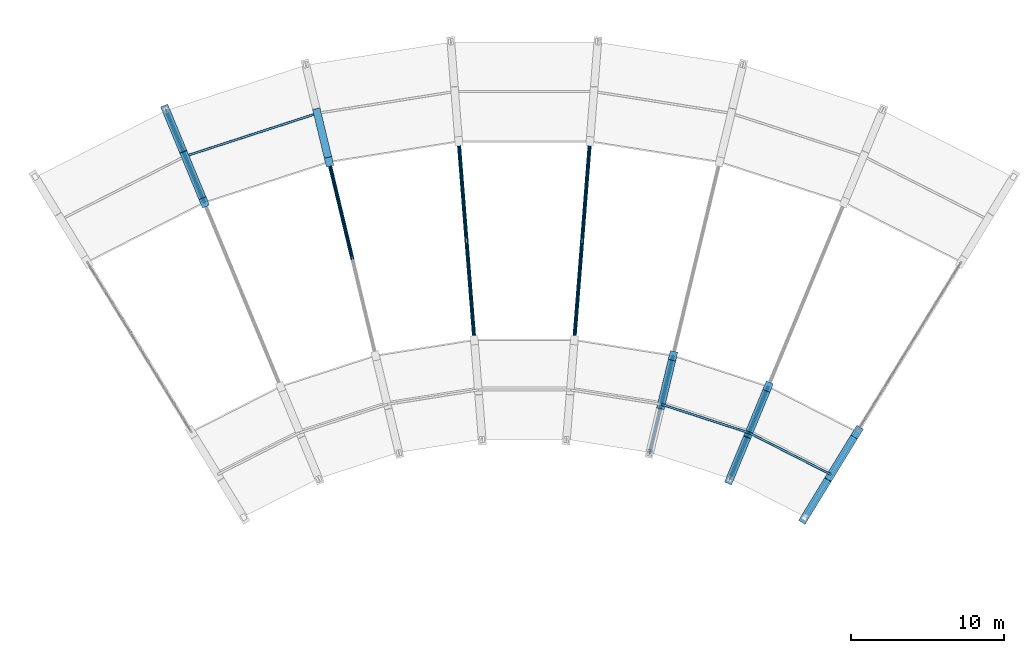
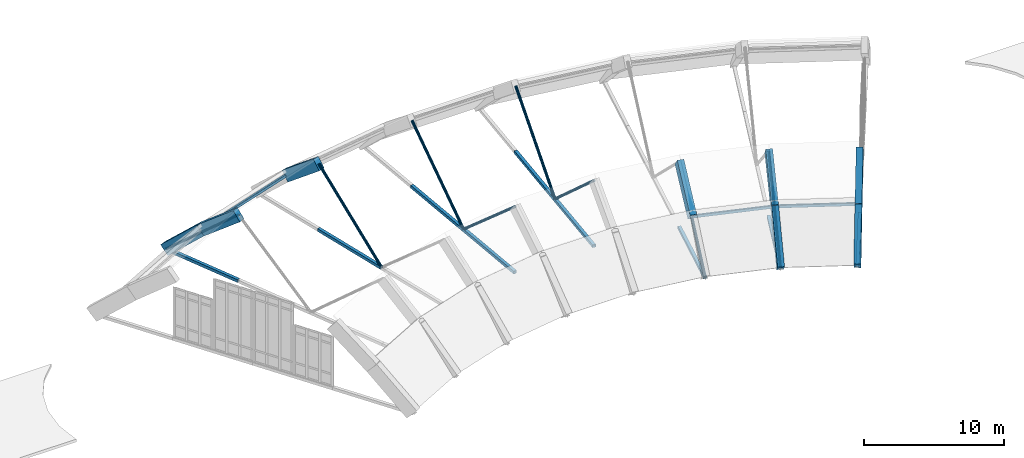
# One storey, part 11 of 34: 17 beams, 11 members.
"""IFC4 building model written with IfcOpenShell, lengths in metres."""

from ifc_helpers import new_model, si_unit, direction, frame, origin, origin_2d, place, context, subcontext, project, spatial, rectangle, hollow_rectangle, hollow_circle, extrude, material, material_profile, profile_set, type_object, element, save


model = new_model("IFC4")

# Units and contexts
model_context = context("Model", 3, precision=1e-05, world=origin(), true_north=direction((0.0, 1.0)))
body_context = subcontext(model_context, "Body", "Model", "MODEL_VIEW")
ifc_project = project(units=[si_unit("LENGTHUNIT", "METRE"), si_unit("AREAUNIT", "SQUARE_METRE"), si_unit("VOLUMEUNIT", "CUBIC_METRE"), si_unit("PLANEANGLEUNIT", "RADIAN"), si_unit("MASSUNIT", "GRAM", prefix="KILO")], contexts=[model_context])

# Site, building, storey
site_placement = place(None, origin())
site = spatial("IfcSite", under=ifc_project, at=site_placement, CompositionType="ELEMENT")
building_placement = place(site_placement, origin())
building = spatial("IfcBuilding", under=site, at=building_placement, Name="Miralva Faculty of Natural Sciences", CompositionType="ELEMENT")
storey_placement = place(building_placement, frame((0.0, 0.0, 24.0)))
storey = spatial("IfcBuildingStorey", under=building, at=storey_placement, Name="L05", CompositionType="ELEMENT", Elevation=24.0)

# Beams
ifc_material_1 = material(Name="Concrete C40/50", Category="concrete")
ifc_material_profile_1 = material_profile(ifc_material_1, rectangle(XDim=0.5, YDim=1.199951171875, at=origin_2d()), Name="RC 500x1200")
ifc_profile_set_1 = profile_set([ifc_material_profile_1], Name="Concrete C40/50")
beam_type_1 = type_object("IfcBeamType", Name="BM-EB01", PredefinedType="BEAM", material=ifc_profile_set_1)
beam_1_placement = place(storey_placement, frame((108.287353515625, 8.84228515625, -0.0400390625), z_axis=(0.385417004482, 0.628934505157, 0.675200059893), x_axis=(-0.852636876348, 0.522503930216, 0.0)))
element("IfcBeam", 1, at=beam_1_placement, inside=storey, type_object=beam_type_1, Name="Visible RC shell arch edge beam EB-08 chord 1", PredefinedType="BEAM", context=body_context, shape_type="SweptSolid", body=[
    extrude(rectangle(XDim=0.5, YDim=1.199951171875, at=origin_2d()), origin(), (0.0, 0.0, 1.0), 4.40625),
])
beam_2_placement = place(storey_placement, frame((109.985595703125, 11.613525390625, 2.93505859375), z_axis=(0.406454163532, 0.663300468166, 0.628353007376), x_axis=(-0.852649834543, 0.522482784074, 0.0)))
element("IfcBeam", 2, at=beam_2_placement, inside=storey, type_object=beam_type_1, Name="Visible RC shell arch edge beam EB-08 chord 2", PredefinedType="BEAM", context=body_context, shape_type="SweptSolid", body=[
    extrude(rectangle(XDim=0.5, YDim=1.199951171875, at=origin_2d()), origin(), (0.0, 0.0, 1.0), 4.177490234375),
])
ifc_material_profile_2 = material_profile(ifc_material_1, rectangle(XDim=0.5, YDim=0.949951171875, at=origin_2d()), Name="RC 500x950")
ifc_profile_set_2 = profile_set([ifc_material_profile_2], Name="Concrete C40/50")
beam_type_2 = type_object("IfcBeamType", Name="BM-EB02", PredefinedType="BEAM", material=ifc_profile_set_2)
beam_3_placement = place(storey_placement, frame((69.143798828125, 29.351318359375, 5.68505859375), z_axis=(-0.297739501227, 0.71872387156, -0.628320925848), x_axis=(-0.923863931748, -0.382721093768, 0.0)))
element("IfcBeam", 3, at=beam_3_placement, inside=storey, type_object=beam_type_2, Name="Visible RC shell arch edge beam EB-02 chord 7", PredefinedType="BEAM", context=body_context, shape_type="SweptSolid", body=[
    extrude(rectangle(XDim=0.5, YDim=0.949951171875, at=origin_2d()), origin(), (0.0, 0.0, 1.0), 4.177734375),
])
beam_4_placement = place(storey_placement, frame((67.89990234375, 32.35400390625, 3.06005859375), z_axis=(-0.276891404172, 0.66852912837, -0.690217324338), x_axis=(-0.92389049032, -0.382656976802, 0.0)))
element("IfcBeam", 4, at=beam_4_placement, inside=storey, type_object=beam_type_2, Name="Visible RC shell arch edge beam EB-02 chord 8", PredefinedType="BEAM", context=body_context, shape_type="SweptSolid", body=[
    extrude(rectangle(XDim=0.5, YDim=0.949951171875, at=origin_2d()), origin(), (0.0, 0.0, 1.0), 4.491455078125),
])
beam_5_placement = place(storey_placement, frame((77.277099609375, 31.994140625, 5.68505859375), z_axis=(-0.181572971652, 0.756446908614, -0.628346505054), x_axis=(-0.972379800638, -0.233404205855, 0.0)))
element("IfcBeam", 5, at=beam_5_placement, inside=storey, type_object=beam_type_2, Name="Visible RC shell arch edge beam EB-03 chord 7", PredefinedType="BEAM", context=body_context, shape_type="SweptSolid", body=[
    extrude(rectangle(XDim=0.5, YDim=0.949951171875, at=origin_2d()), origin(), (0.0, 0.0, 1.0), 4.177734375),
])
beam_6_placement = place(storey_placement, frame((98.92919921875, 16.193115234375, 3.06005859375), z_axis=(0.181621455172, 0.75646387941, 0.628312061137), x_axis=(-0.972366843262, 0.233458180677, 0.0)))
element("IfcBeam", 6, at=beam_6_placement, inside=storey, type_object=beam_type_2, Name="Visible RC shell arch edge beam EB-06 chord 2", PredefinedType="BEAM", context=body_context, shape_type="SweptSolid", body=[
    extrude(rectangle(XDim=0.5, YDim=0.949951171875, at=origin_2d()), origin(), (0.0, 0.0, 1.0), 4.177978515625),
])
beam_7_placement = place(storey_placement, frame((103.393798828125, 11.335693359375, -0.0400390625), z_axis=(0.276941591979, 0.668519065701, 0.69020693522), x_axis=(-0.923863931748, 0.382721093768, 0.0)))
element("IfcBeam", 7, at=beam_7_placement, inside=storey, type_object=beam_type_2, Name="Visible RC shell arch edge beam EB-07 chord 1", PredefinedType="BEAM", context=body_context, shape_type="SweptSolid", body=[
    extrude(rectangle(XDim=0.5, YDim=0.949951171875, at=origin_2d()), origin(), (0.0, 0.0, 1.0), 4.491455078125),
])
beam_8_placement = place(storey_placement, frame((104.6376953125, 14.33837890625, 3.06005859375), z_axis=(0.297686242674, 0.718736375863, 0.628331857328), x_axis=(-0.92389049032, 0.382656976802, 0.0)))
element("IfcBeam", 8, at=beam_8_placement, inside=storey, type_object=beam_type_2, Name="Visible RC shell arch edge beam EB-07 chord 2", PredefinedType="BEAM", context=body_context, shape_type="SweptSolid", body=[
    extrude(rectangle(XDim=0.5, YDim=0.949951171875, at=origin_2d()), origin(), (0.0, 0.0, 1.0), 4.177734375),
])
ifc_material_2 = material(Name="Steel S355", Category="steel")
ifc_material_profile_3 = material_profile(ifc_material_2, hollow_rectangle(XDim=0.25, YDim=0.25, WallThickness=0.011962890625, at=origin_2d()), Name="HSS 250x250x12")
ifc_profile_set_3 = profile_set([ifc_material_profile_3], Name="Steel S355")
beam_type_3 = type_object("IfcBeamType", Name="BM-EBTIE", PredefinedType="BEAM", material=ifc_profile_set_3)
beam_9_placement = place(storey_placement, frame((69.143798828125, 29.351318359375, -0.0400390625), z_axis=(-0.382689035976, 0.9238772114, 0.0), x_axis=(-0.9238772114, -0.382689035976, 0.0)))
element("IfcBeam", 9, at=beam_9_placement, inside=storey, type_object=beam_type_3, Name="Shell arch tie chord 02-4", PredefinedType="BEAM", context=body_context, shape_type="SweptSolid", body=[
    extrude(hollow_rectangle(XDim=0.25, YDim=0.25, WallThickness=0.011962890625, at=origin_2d()), origin(), (0.0, 0.0, 1.0), 6.500244140625),
])
for number, where, z_axis, x_axis, name in (
    (10, (78.794677734375, 25.673828125, -0.0400390625), (-0.233475233572, 0.972362748828, 0.0), (-0.972362748828, -0.233475233572, 0.0), "Shell arch tie chord 03-3"),
    (11, (86.743896484375, 20.3720703125, -0.0400390625), (-0.078462802379, 0.996917042006, 0.0), (-0.996917042006, -0.078462802379, 0.0), "Shell arch tie chord 04-2"),
    (12, (86.23388671875, 26.85205078125, -0.0400390625), (-0.078425473467, 0.996919979292, 0.0), (-0.996919979292, -0.078425473467, 0.0), "Shell arch tie chord 04-3"),
    (13, (93.256103515625, 20.3720703125, -0.0400390625), (0.078462802379, 0.996917042006, 0.0), (-0.996917042006, 0.078462802379, 0.0), "Shell arch tie chord 05-2"),
    (14, (93.76611328125, 26.85205078125, -0.0400390625), (0.078425473467, 0.996919979292, 0.0), (-0.996919979292, 0.078425473467, 0.0), "Shell arch tie chord 05-3"),
):
    element("IfcBeam", number, at=place(storey_placement, frame(where, z_axis=z_axis, x_axis=x_axis)), inside=storey, type_object=beam_type_3, Name=name, PredefinedType="BEAM", context=body_context, shape_type="SweptSolid", body=[
        extrude(hollow_rectangle(XDim=0.25, YDim=0.25, WallThickness=0.011962890625, at=origin_2d()), origin(), (0.0, 0.0, 1.0), 6.5),
    ])
for number, where, z_axis, x_axis, name in (
    (15, (98.170654296875, 13.032958984375, -0.0400390625), (0.233431194578, 0.972373322031, 0.0), (-0.972373322031, 0.233431194578, 0.0), "Shell arch tie chord 06-1"),
    (16, (103.393798828125, 11.335693359375, -0.0400390625), (0.382689035976, 0.9238772114, 0.0), (-0.9238772114, 0.382689035976, 0.0), "Shell arch tie chord 07-1"),
):
    element("IfcBeam", number, at=place(storey_placement, frame(where, z_axis=z_axis, x_axis=x_axis)), inside=storey, type_object=beam_type_3, Name=name, PredefinedType="BEAM", context=body_context, shape_type="SweptSolid", body=[
        extrude(hollow_rectangle(XDim=0.25, YDim=0.25, WallThickness=0.011962890625, at=origin_2d()), origin(), (0.0, 0.0, 1.0), 6.500244140625),
    ])
beam_10_placement = place(storey_placement, frame((108.287353515625, 8.84228515625, -0.0400390625), z_axis=(0.522493357731, 0.852643355176, 0.0), x_axis=(-0.852643355176, 0.522493357731, 0.0)))
element("IfcBeam", 17, at=beam_10_placement, inside=storey, type_object=beam_type_3, Name="Shell arch tie chord 08-1", PredefinedType="BEAM", context=body_context, shape_type="SweptSolid", body=[
    extrude(hollow_rectangle(XDim=0.25, YDim=0.25, WallThickness=0.011962890625, at=origin_2d()), origin(), (0.0, 0.0, 1.0), 6.5),
])

# Members
ifc_material_profile_4 = material_profile(ifc_material_2, hollow_rectangle(XDim=0.14990234375, YDim=0.25, WallThickness=0.010009765625, InnerFilletRadius=0.010009765625, OuterFilletRadius=0.02001953125, at=origin_2d()), Name="HSS 250x150x10")
ifc_profile_set_4 = profile_set([ifc_material_profile_4], Name="Steel S355")
member_type_1 = type_object("IfcMemberType", Name="MEM-PU01", PredefinedType="PURLIN", material=ifc_profile_set_4)
member_1_placement = place(storey_placement, frame((67.89990234375, 32.35400390625, 3.094970703125), z_axis=(0.951059011249, 0.309009315592, 0.0), x_axis=(-0.309009315592, 0.951059011249, 0.0)))
element("IfcMember", 18, at=member_1_placement, inside=storey, type_object=member_type_1, Name="Shell longitudinal purlin B2-K7", PredefinedType="PURLIN", context=body_context, shape_type="SweptSolid", body=[
    extrude(hollow_rectangle(XDim=0.14990234375, YDim=0.25, WallThickness=0.010009765625, InnerFilletRadius=0.010009765625, OuterFilletRadius=0.02001953125, at=origin_2d()), origin(), (0.0, 0.0, 1.0), 9.062255859375),
])
member_2_placement = place(storey_placement, frame((98.92919921875, 16.193115234375, 3.094970703125), z_axis=(0.951059771775, -0.30900697486, 0.0), x_axis=(0.30900697486, 0.951059771775, 0.0)))
element("IfcMember", 19, at=member_2_placement, inside=storey, type_object=member_type_1, Name="Shell longitudinal purlin B6-K1", PredefinedType="PURLIN", context=body_context, shape_type="SweptSolid", body=[
    extrude(hollow_rectangle(XDim=0.14990234375, YDim=0.25, WallThickness=0.010009765625, InnerFilletRadius=0.010009765625, OuterFilletRadius=0.02001953125, at=origin_2d()), origin(), (0.0, 0.0, 1.0), 6.002197265625),
])
member_3_placement = place(storey_placement, frame((104.6376953125, 14.33837890625, 3.094970703125), z_axis=(0.891009074041, -0.453985495338, 0.0), x_axis=(0.453985495338, 0.891009074041, 0.0)))
element("IfcMember", 20, at=member_3_placement, inside=storey, type_object=member_type_1, Name="Shell longitudinal purlin B7-K1", PredefinedType="PURLIN", context=body_context, shape_type="SweptSolid", body=[
    extrude(hollow_rectangle(XDim=0.14990234375, YDim=0.25, WallThickness=0.010009765625, InnerFilletRadius=0.010009765625, OuterFilletRadius=0.02001953125, at=origin_2d()), origin(), (0.0, 0.0, 1.0), 6.001953125),
])
ifc_material_profile_5 = material_profile(ifc_material_2, hollow_circle(Radius=0.109619140625, WallThickness=0.010009765625, at=origin_2d()), Name="CHS 219.1x10")
ifc_profile_set_5 = profile_set([ifc_material_profile_5], Name="Steel S355")
member_type_2 = type_object("IfcMemberType", Name="MEM-ST01", PredefinedType="STRUT", material=ifc_profile_set_5)
for number, where, z_axis, x_axis, name in (
    (21, (69.143798828125, 29.351318359375, 5.68505859375), (-0.287181642721, 0.693305922823, -0.660949015782), (-0.9238772114, -0.382689035976, 0.0), "Shell arch web diagonal 02-4"),
    (22, (78.794677734375, 25.673828125, -0.0400390625), (-0.175204302115, 0.729679693235, 0.660962175771), (-0.972362748828, -0.233475233572, 0.0), "Shell arch web diagonal 03-3"),
    (23, (86.743896484375, 20.3720703125, 5.68505859375), (-0.058880257598, 0.748109046034, -0.660958372749), (-0.996917042006, -0.078462802379, 0.0), "Shell arch web diagonal 04-2"),
    (24, (86.23388671875, 26.85205078125, -0.0400390625), (-0.058852169387, 0.748110287295, 0.660959469409), (-0.996919979292, -0.078425473467, 0.0), "Shell arch web diagonal 04-3"),
    (25, (93.256103515625, 20.3720703125, 5.68505859375), (0.058880257598, 0.748109046034, -0.660958372749), (-0.996917042006, 0.078462802379, 0.0), "Shell arch web diagonal 05-2"),
    (26, (93.76611328125, 26.85205078125, -0.0400390625), (0.058852169387, 0.748110287295, 0.660959469409), (-0.996919979292, 0.078425473467, 0.0), "Shell arch web diagonal 05-3"),
    (27, (98.170654296875, 13.032958984375, -0.0400390625), (0.175173378288, 0.729696474737, 0.660951845671), (-0.972373322031, 0.233431194578, 0.0), "Shell arch web diagonal 06-1"),
    (28, (103.393798828125, 11.335693359375, -0.0400390625), (0.287181642721, 0.693305922823, 0.660949015782), (-0.9238772114, 0.382689035976, 0.0), "Shell arch web diagonal 07-1"),
):
    element("IfcMember", number, at=place(storey_placement, frame(where, z_axis=z_axis, x_axis=x_axis)), inside=storey, type_object=member_type_2, Name=name, PredefinedType="STRUT", context=body_context, shape_type="SweptSolid", body=[
        extrude(hollow_circle(Radius=0.109619140625, WallThickness=0.010009765625, at=origin_2d()), origin(), (0.0, 0.0, 1.0), 8.661865234375),
    ])

save(model, "model.ifc")
